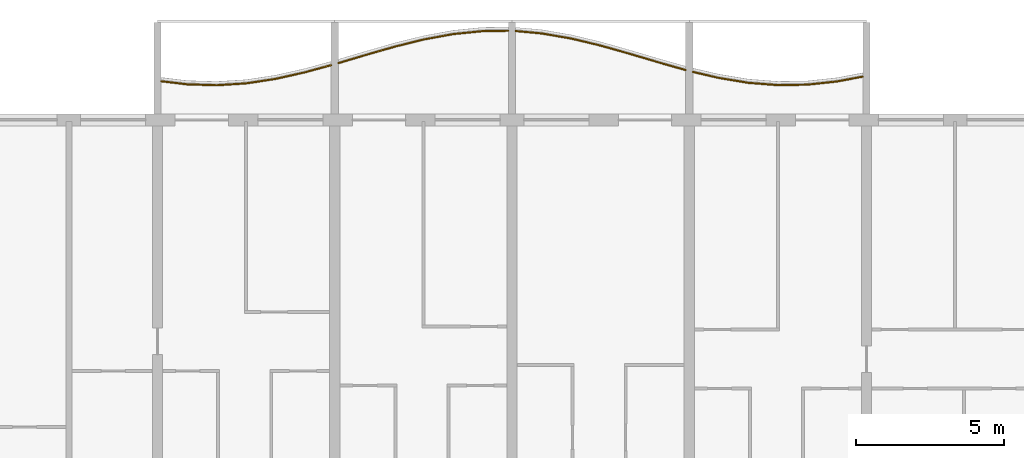
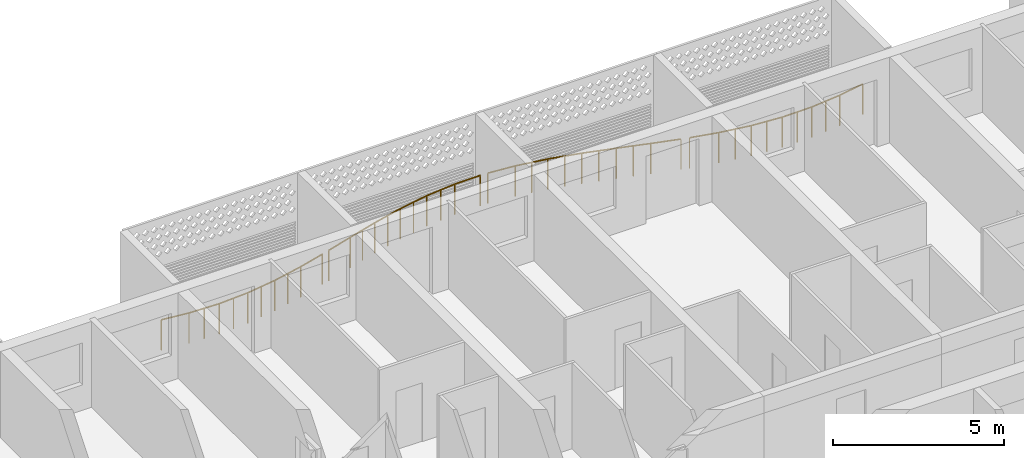
# One storey, part 21 of 24: 4 railings.
"""IFC4 building model written with IfcOpenShell, lengths in metres."""

from ifc_helpers import new_model, si_unit, direction, frame, origin, origin_2d, place, context, subcontext, project, spatial, circle, extrude, material, type_object, element, save


model = new_model("IFC4")

# Units and contexts
model_context = context("Model", 3, precision=1e-05, world=origin(), true_north=direction((0.0, 1.0)))
body_context = subcontext(model_context, "Body", "Model", "MODEL_VIEW")
ifc_project = project(units=[si_unit("LENGTHUNIT", "METRE"), si_unit("AREAUNIT", "SQUARE_METRE"), si_unit("VOLUMEUNIT", "CUBIC_METRE"), si_unit("PLANEANGLEUNIT", "RADIAN"), si_unit("MASSUNIT", "GRAM", prefix="KILO")], contexts=[model_context])

# Site, building, storey
site_placement = place(None, origin())
site = spatial("IfcSite", under=ifc_project, at=site_placement, CompositionType="ELEMENT")
building_placement = place(site_placement, origin())
building = spatial("IfcBuilding", under=site, at=building_placement, Name="Poui Terraces", CompositionType="ELEMENT")
storey_placement = place(building_placement, frame((0.0, 0.0, 109.199951171875)))
storey = spatial("IfcBuildingStorey", under=building, at=storey_placement, Name="L30", CompositionType="ELEMENT", Elevation=109.199951171875)

# Railings
ifc_material = material(Name="Painted steel fretwork", Category="steel")
railing_type = type_object("IfcRailingType", Name="BALCONY GUARD 1100", PredefinedType="GUARDRAIL", material=ifc_material)
railing_1_placement = place(storey_placement, frame((48.125, 44.906494140625, 0.0)))
element("IfcRailing", 1, at=railing_1_placement, inside=storey, type_object=railing_type, Name="BALCONY GUARD", PredefinedType="GUARDRAIL", context=body_context, shape_type="SweptSolid", body=[
    extrude(circle(Radius=0.02392578125, at=origin_2d()), frame((0.0, 0.0, 1.076171875), z_axis=(0.993074741363, -0.117484288599, 0.0), x_axis=(0.117484288599, 0.993074741363, 0.0)), (0.0, 0.0, 1.0), 0.881103515625),
    extrude(circle(Radius=0.02392578125, at=origin_2d()), frame((0.875, -0.103515625, 1.076171875), z_axis=(0.999496720941, -0.031722308038, 0.0), x_axis=(0.031722308038, 0.999496720941, 0.0)), (0.0, 0.0, 1.0), 1.00048828125),
    extrude(circle(Radius=0.02392578125, at=origin_2d()), frame((1.875, -0.13525390625, 1.076171875), z_axis=(0.997991430779, 0.06334906543, 0.0), x_axis=(-0.06334906543, 0.997991430779, 0.0)), (0.0, 0.0, 1.0), 1.001953125),
    extrude(circle(Radius=0.02392578125, at=origin_2d()), frame((2.875, -0.07177734375, 1.076171875), z_axis=(0.988701415616, 0.149898334741, 0.0), x_axis=(-0.149898334741, 0.988701415616, 0.0)), (0.0, 0.0, 1.0), 1.011474609375),
    extrude(circle(Radius=0.02392578125, at=origin_2d()), frame((3.875, 0.079833984375, 1.076171875), z_axis=(0.975640353268, 0.219376163418, 0.0), x_axis=(-0.219376163418, 0.975640353268, 0.0)), (0.0, 0.0, 1.0), 1.02490234375),
    extrude(circle(Radius=0.02392578125, at=origin_2d()), frame((4.875, 0.3046875, 1.076171875), z_axis=(0.964794875477, 0.263003513767, 0.0), x_axis=(-0.263003513767, 0.964794875477, 0.0)), (0.0, 0.0, 1.0), 0.906982421875),
    extrude(circle(Radius=0.02099609375, at=origin_2d()), origin(), (0.0, 0.0, 1.0), 1.052001953125),
    extrude(circle(Radius=0.02099609375, at=origin_2d()), frame((0.875, -0.103515625, 0.0)), (0.0, 0.0, 1.0), 1.052001953125),
    extrude(circle(Radius=0.02099609375, at=origin_2d()), frame((1.375, -0.119384765625, 0.0)), (0.0, 0.0, 1.0), 1.052001953125),
    extrude(circle(Radius=0.02099609375, at=origin_2d()), frame((1.875, -0.13525390625, 0.0)), (0.0, 0.0, 1.0), 1.052001953125),
    extrude(circle(Radius=0.02099609375, at=origin_2d()), frame((2.375, -0.103515625, 0.0)), (0.0, 0.0, 1.0), 1.052001953125),
    extrude(circle(Radius=0.02099609375, at=origin_2d()), frame((2.875, -0.07177734375, 0.0)), (0.0, 0.0, 1.0), 1.052001953125),
    extrude(circle(Radius=0.02099609375, at=origin_2d()), frame((3.375, 0.00390625, 0.0)), (0.0, 0.0, 1.0), 1.052001953125),
    extrude(circle(Radius=0.02099609375, at=origin_2d()), frame((3.875, 0.079833984375, 0.0)), (0.0, 0.0, 1.0), 1.052001953125),
    extrude(circle(Radius=0.02099609375, at=origin_2d()), frame((4.375, 0.1923828125, 0.0)), (0.0, 0.0, 1.0), 1.052001953125),
    extrude(circle(Radius=0.02099609375, at=origin_2d()), frame((4.875, 0.3046875, 0.0)), (0.0, 0.0, 1.0), 1.052001953125),
    extrude(circle(Radius=0.02099609375, at=origin_2d()), frame((5.75, 0.543212890625, 0.0)), (0.0, 0.0, 1.0), 1.052001953125),
])
railing_2_placement = place(storey_placement, frame((54.125, 45.522216796875, 0.0)))
element("IfcRailing", 2, at=railing_2_placement, inside=storey, type_object=railing_type, Name="BALCONY GUARD", PredefinedType="GUARDRAIL", context=body_context, shape_type="SweptSolid", body=[
    extrude(circle(Radius=0.02392578125, at=origin_2d()), frame((0.0, 0.0, 1.076171875), z_axis=(0.95871981657, 0.284352445595, 0.0), x_axis=(-0.284352445595, 0.95871981657, 0.0)), (0.0, 0.0, 1.0), 0.91259765625),
    extrude(circle(Radius=0.02392578125, at=origin_2d()), frame((0.875, 0.259521484375, 1.076171875), z_axis=(0.961106681232, 0.276177383743, 0.0), x_axis=(-0.276177383743, 0.961106681232, 0.0)), (0.0, 0.0, 1.0), 1.04052734375),
    extrude(circle(Radius=0.02392578125, at=origin_2d()), frame((1.875, 0.546875, 1.076171875), z_axis=(0.970476070643, 0.241197421854, 0.0), x_axis=(-0.241197421854, 0.970476070643, 0.0)), (0.0, 0.0, 1.0), 1.030517578125),
    extrude(circle(Radius=0.02392578125, at=origin_2d()), frame((2.875, 0.79541015625, 1.076171875), z_axis=(0.983390092547, 0.181504616691, 0.0), x_axis=(-0.181504616691, 0.983390092547, 0.0)), (0.0, 0.0, 1.0), 1.016845703125),
    extrude(circle(Radius=0.02392578125, at=origin_2d()), frame((3.875, 0.97998046875, 1.076171875), z_axis=(0.994882088655, 0.101042712129, 0.0), x_axis=(-0.101042712129, 0.994882088655, 0.0)), (0.0, 0.0, 1.0), 1.005126953125),
    extrude(circle(Radius=0.02392578125, at=origin_2d()), frame((4.875, 1.08154296875, 1.076171875), z_axis=(0.999902700497, 0.013949535442, 0.0), x_axis=(-0.013949535442, 0.999902700497, 0.0)), (0.0, 0.0, 1.0), 0.875),
    extrude(circle(Radius=0.02099609375, at=origin_2d()), origin(), (0.0, 0.0, 1.0), 1.052001953125),
    extrude(circle(Radius=0.02099609375, at=origin_2d()), frame((0.875, 0.259521484375, 0.0)), (0.0, 0.0, 1.0), 1.052001953125),
    extrude(circle(Radius=0.02099609375, at=origin_2d()), frame((1.375, 0.4033203125, 0.0)), (0.0, 0.0, 1.0), 1.052001953125),
    extrude(circle(Radius=0.02099609375, at=origin_2d()), frame((1.875, 0.546875, 0.0)), (0.0, 0.0, 1.0), 1.052001953125),
    extrude(circle(Radius=0.02099609375, at=origin_2d()), frame((2.375, 0.671142578125, 0.0)), (0.0, 0.0, 1.0), 1.052001953125),
    extrude(circle(Radius=0.02099609375, at=origin_2d()), frame((2.875, 0.79541015625, 0.0)), (0.0, 0.0, 1.0), 1.052001953125),
    extrude(circle(Radius=0.02099609375, at=origin_2d()), frame((3.375, 0.8876953125, 0.0)), (0.0, 0.0, 1.0), 1.052001953125),
    extrude(circle(Radius=0.02099609375, at=origin_2d()), frame((3.875, 0.97998046875, 0.0)), (0.0, 0.0, 1.0), 1.052001953125),
    extrude(circle(Radius=0.02099609375, at=origin_2d()), frame((4.375, 1.03076171875, 0.0)), (0.0, 0.0, 1.0), 1.052001953125),
    extrude(circle(Radius=0.02099609375, at=origin_2d()), frame((4.875, 1.08154296875, 0.0)), (0.0, 0.0, 1.0), 1.052001953125),
    extrude(circle(Radius=0.02099609375, at=origin_2d()), frame((5.75, 1.09375, 0.0)), (0.0, 0.0, 1.0), 1.052001953125),
])
railing_3_placement = place(storey_placement, frame((60.125, 46.60595703125, 0.0)))
element("IfcRailing", 3, at=railing_3_placement, inside=storey, type_object=railing_type, Name="BALCONY GUARD", PredefinedType="GUARDRAIL", context=body_context, shape_type="SweptSolid", body=[
    extrude(circle(Radius=0.02392578125, at=origin_2d()), frame((0.0, 0.0, 1.076171875), z_axis=(0.995787779444, -0.091688048889, 0.0), x_axis=(0.091688048889, 0.995787779444, 0.0)), (0.0, 0.0, 1.0), 0.878662109375),
    extrude(circle(Radius=0.02392578125, at=origin_2d()), frame((0.875, -0.08056640625, 1.076171875), z_axis=(0.98554889076, -0.169391215599, 0.0), x_axis=(0.169391215599, 0.98554889076, 0.0)), (0.0, 0.0, 1.0), 1.0146484375),
    extrude(circle(Radius=0.02392578125, at=origin_2d()), frame((1.875, -0.25244140625, 1.076171875), z_axis=(0.972443304839, -0.233139483729, 0.0), x_axis=(0.233139483729, 0.972443304839, 0.0)), (0.0, 0.0, 1.0), 1.0283203125),
    extrude(circle(Radius=0.02392578125, at=origin_2d()), frame((2.875, -0.4921875, 1.076171875), z_axis=(0.962282666556, -0.272051593719, 0.0), x_axis=(0.272051593719, 0.962282666556, 0.0)), (0.0, 0.0, 1.0), 1.039306640625),
    extrude(circle(Radius=0.02392578125, at=origin_2d()), frame((3.875, -0.77490234375, 1.076171875), z_axis=(0.958710700624, -0.284383179018, 0.0), x_axis=(0.284383179018, 0.958710700624, 0.0)), (0.0, 0.0, 1.0), 1.04296875),
    extrude(circle(Radius=0.02392578125, at=origin_2d()), frame((4.875, -1.071533203125, 1.076171875), z_axis=(0.962370485881, -0.271740773357, 0.0), x_axis=(0.271740773357, 0.962370485881, 0.0)), (0.0, 0.0, 1.0), 0.9091796875),
    extrude(circle(Radius=0.02099609375, at=origin_2d()), origin(), (0.0, 0.0, 1.0), 1.052001953125),
    extrude(circle(Radius=0.02099609375, at=origin_2d()), frame((0.875, -0.08056640625, 0.0)), (0.0, 0.0, 1.0), 1.052001953125),
    extrude(circle(Radius=0.02099609375, at=origin_2d()), frame((1.375, -0.16650390625, 0.0)), (0.0, 0.0, 1.0), 1.052001953125),
    extrude(circle(Radius=0.02099609375, at=origin_2d()), frame((1.875, -0.25244140625, 0.0)), (0.0, 0.0, 1.0), 1.052001953125),
    extrude(circle(Radius=0.02099609375, at=origin_2d()), frame((2.375, -0.372314453125, 0.0)), (0.0, 0.0, 1.0), 1.052001953125),
    extrude(circle(Radius=0.02099609375, at=origin_2d()), frame((2.875, -0.4921875, 0.0)), (0.0, 0.0, 1.0), 1.052001953125),
    extrude(circle(Radius=0.02099609375, at=origin_2d()), frame((3.375, -0.633544921875, 0.0)), (0.0, 0.0, 1.0), 1.052001953125),
    extrude(circle(Radius=0.02099609375, at=origin_2d()), frame((3.875, -0.77490234375, 0.0)), (0.0, 0.0, 1.0), 1.052001953125),
    extrude(circle(Radius=0.02099609375, at=origin_2d()), frame((4.375, -0.92333984375, 0.0)), (0.0, 0.0, 1.0), 1.052001953125),
    extrude(circle(Radius=0.02099609375, at=origin_2d()), frame((4.875, -1.071533203125, 0.0)), (0.0, 0.0, 1.0), 1.052001953125),
    extrude(circle(Radius=0.02099609375, at=origin_2d()), frame((5.75, -1.318603515625, 0.0)), (0.0, 0.0, 1.0), 1.052001953125),
])
railing_4_placement = place(storey_placement, frame((66.125, 45.2216796875, 0.0)))
element("IfcRailing", 4, at=railing_4_placement, inside=storey, type_object=railing_type, Name="BALCONY GUARD", PredefinedType="GUARDRAIL", context=body_context, shape_type="SweptSolid", body=[
    extrude(circle(Radius=0.02392578125, at=origin_2d()), frame((0.0, 0.0, 1.076171875), z_axis=(0.974276529724, -0.225355815609, 0.0), x_axis=(0.225355815609, 0.974276529724, 0.0)), (0.0, 0.0, 1.0), 0.898193359375),
    extrude(circle(Radius=0.02392578125, at=origin_2d()), frame((0.875, -0.202392578125, 1.076171875), z_axis=(0.986614372238, -0.163070783693, 0.0), x_axis=(0.163070783693, 0.986614372238, 0.0)), (0.0, 0.0, 1.0), 1.013671875),
    extrude(circle(Radius=0.02392578125, at=origin_2d()), frame((1.875, -0.36767578125, 1.076171875), z_axis=(0.996924225014, -0.078371484486, 0.0), x_axis=(0.078371484486, 0.996924225014, 0.0)), (0.0, 0.0, 1.0), 1.003173828125),
    extrude(circle(Radius=0.02392578125, at=origin_2d()), frame((2.875, -0.4462890625, 1.076171875), z_axis=(0.999874108965, 0.015867142842, 0.0), x_axis=(-0.015867142842, 0.999874108965, 0.0)), (0.0, 0.0, 1.0), 1.000244140625),
    extrude(circle(Radius=0.02392578125, at=origin_2d()), frame((3.875, -0.430419921875, 1.076171875), z_axis=(0.994124040351, 0.108246904784, 0.0), x_axis=(-0.108246904784, 0.994124040351, 0.0)), (0.0, 0.0, 1.0), 1.005859375),
    extrude(circle(Radius=0.02392578125, at=origin_2d()), frame((4.875, -0.321533203125, 1.076171875), z_axis=(0.983070349335, 0.183228513771, 0.0), x_axis=(-0.183228513771, 0.983070349335, 0.0)), (0.0, 0.0, 1.0), 0.89013671875),
    extrude(circle(Radius=0.02099609375, at=origin_2d()), origin(), (0.0, 0.0, 1.0), 1.052001953125),
    extrude(circle(Radius=0.02099609375, at=origin_2d()), frame((0.875, -0.202392578125, 0.0)), (0.0, 0.0, 1.0), 1.052001953125),
    extrude(circle(Radius=0.02099609375, at=origin_2d()), frame((1.375, -0.28515625, 0.0)), (0.0, 0.0, 1.0), 1.052001953125),
    extrude(circle(Radius=0.02099609375, at=origin_2d()), frame((1.875, -0.36767578125, 0.0)), (0.0, 0.0, 1.0), 1.052001953125),
    extrude(circle(Radius=0.02099609375, at=origin_2d()), frame((2.375, -0.406982421875, 0.0)), (0.0, 0.0, 1.0), 1.052001953125),
    extrude(circle(Radius=0.02099609375, at=origin_2d()), frame((2.875, -0.4462890625, 0.0)), (0.0, 0.0, 1.0), 1.052001953125),
    extrude(circle(Radius=0.02099609375, at=origin_2d()), frame((3.375, -0.4384765625, 0.0)), (0.0, 0.0, 1.0), 1.052001953125),
    extrude(circle(Radius=0.02099609375, at=origin_2d()), frame((3.875, -0.430419921875, 0.0)), (0.0, 0.0, 1.0), 1.052001953125),
    extrude(circle(Radius=0.02099609375, at=origin_2d()), frame((4.375, -0.3759765625, 0.0)), (0.0, 0.0, 1.0), 1.052001953125),
    extrude(circle(Radius=0.02099609375, at=origin_2d()), frame((4.875, -0.321533203125, 0.0)), (0.0, 0.0, 1.0), 1.052001953125),
    extrude(circle(Radius=0.02099609375, at=origin_2d()), frame((5.75, -0.158447265625, 0.0)), (0.0, 0.0, 1.0), 1.052001953125),
])

save(model, "model.ifc")
